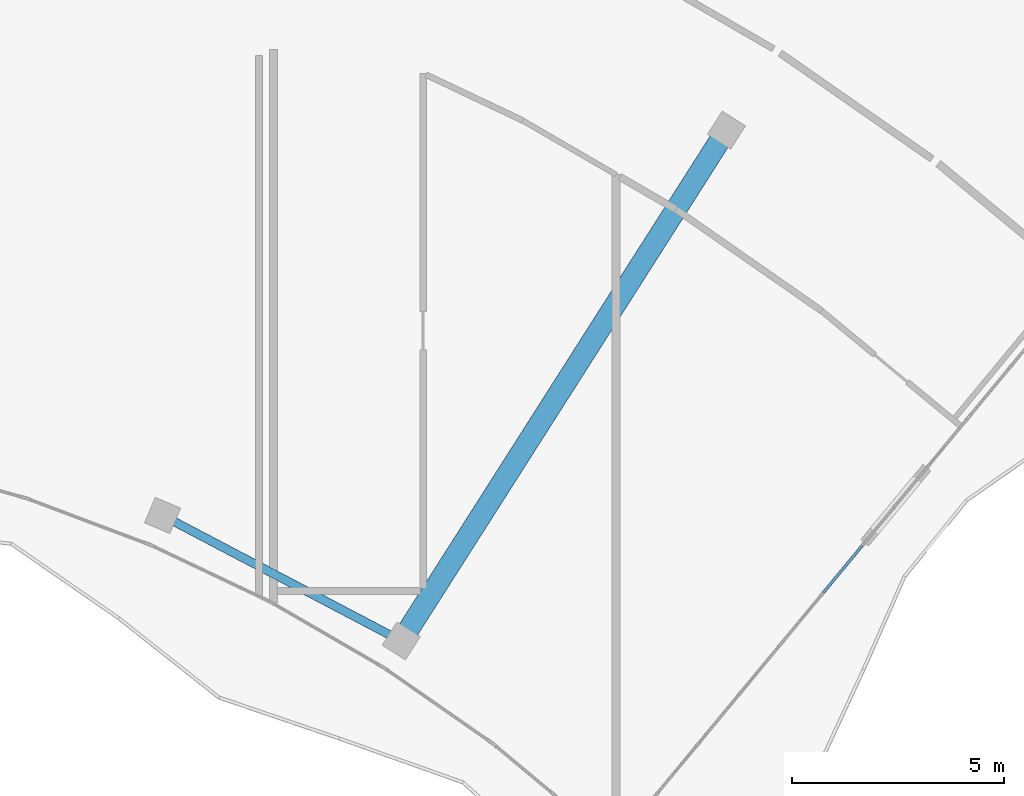
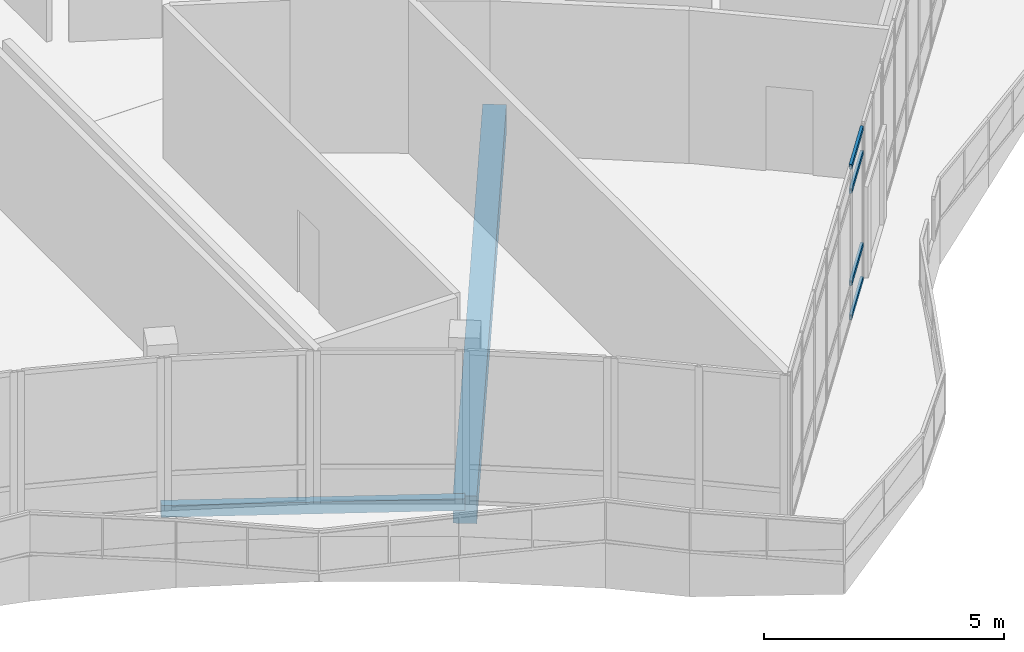
# One storey, part 125 of 184: 4 members, 2 beams, 1 element without a shape of its own.
"""IFC4 building model written with IfcOpenShell, lengths in metres."""

from ifc_helpers import new_model, si_unit, direction, frame, origin, origin_2d, place, context, subcontext, project, spatial, rectangle, hollow_rectangle, extrude, material, material_profile, profile_set, type_object, element, aggregate, save


model = new_model("IFC4")

# Units and contexts
model_context = context("Model", 3, precision=1e-05, world=origin(), true_north=direction((0.0, 1.0)))
body_context = subcontext(model_context, "Body", "Model", "MODEL_VIEW")
ifc_project = project(units=[si_unit("LENGTHUNIT", "METRE"), si_unit("AREAUNIT", "SQUARE_METRE"), si_unit("VOLUMEUNIT", "CUBIC_METRE"), si_unit("PLANEANGLEUNIT", "RADIAN"), si_unit("MASSUNIT", "GRAM", prefix="KILO")], contexts=[model_context])

# Site, building, storey
site_placement = place(None, origin())
site = spatial("IfcSite", under=ifc_project, at=site_placement, CompositionType="ELEMENT")
building_placement = place(site_placement, origin())
building = spatial("IfcBuilding", under=site, at=building_placement, Name="Selatvlak General Hospital", CompositionType="ELEMENT")
storey_placement = place(building_placement, frame((0.0, 0.0, 15.0)))
storey = spatial("IfcBuildingStorey", under=building, at=storey_placement, Name="L03", CompositionType="ELEMENT", Elevation=15.0)

# Beams
ifc_material_1 = material(Name="Concrete C40/50", Category="concrete")
ifc_material_profile_1 = material_profile(ifc_material_1, rectangle(XDim=0.5, YDim=0.699951171875, at=origin_2d()), Name="RC-BM 500x700")
ifc_profile_set_1 = profile_set([ifc_material_profile_1], Name="Concrete C40/50")
beam_type_1 = type_object("IfcBeamType", Name="BM-G03", PredefinedType="BEAM", material=ifc_profile_set_1)
beam_1_placement = place(storey_placement, frame((168.197998046875, 60.783935546875, -0.68994140625), z_axis=(-0.537073919926, -0.843535182749, 0.0), x_axis=(0.843535182749, -0.537073919926, 0.0)))
element("IfcBeam", 1, at=beam_1_placement, inside=storey, type_object=beam_type_1, Name="Beam BMR-L03-1475", PredefinedType="BEAM", context=body_context, shape_type="SweptSolid", body=[
    extrude(rectangle(XDim=0.5, YDim=0.699951171875, at=origin_2d()), origin(), (0.0, 0.0, 1.0), 14.24951171875),
])
ifc_material_2 = material(Name="Steel S355", Category="steel")
ifc_material_profile_2 = material_profile(ifc_material_2, hollow_rectangle(XDim=0.199951171875, YDim=0.300048828125, WallThickness=0.011962890625, at=origin_2d()), Name="RHS 300x200x12")
ifc_profile_set_2 = profile_set([ifc_material_profile_2], Name="Steel S355")
beam_type_2 = type_object("IfcBeamType", Name="BM-SP3", PredefinedType="SPANDREL", material=ifc_profile_set_2)
beam_2_placement = place(storey_placement, frame((154.927978515625, 51.716064453125, -0.489990234375), z_axis=(0.885186813572, -0.46523575215, 0.0), x_axis=(0.46523575215, 0.885186813572, 0.0)))
element("IfcBeam", 2, at=beam_2_placement, inside=storey, type_object=beam_type_2, Name="Beam BMR-L03-1505", PredefinedType="SPANDREL", context=body_context, shape_type="SweptSolid", body=[
    extrude(hollow_rectangle(XDim=0.199951171875, YDim=0.300048828125, WallThickness=0.011962890625, at=origin_2d()), origin(), (0.0, 0.0, 1.0), 6.345458984375),
])

# Curtain wall, members
ifc_material_3 = material(Name="Solar-control Low-E double glazing", Category="glass")
curtain_wall_type = type_object("IfcCurtainWallType", Name="CW-CW-01", PredefinedType="USERDEFINED", material=ifc_material_3)
curtain_wall_placement = place(storey_placement, origin())
curtain_wall = element("IfcCurtainWall", 3, at=curtain_wall_placement, inside=storey, type_object=curtain_wall_type, Name="Glazed facade curtain wall CW-L03-0395", ObjectType="UNITISED CURTAIN WALL", PredefinedType="USERDEFINED")
ifc_material_4 = material(Name="Dark anodised aluminium mullion", Category="aluminium")
ifc_material_profile_3 = material_profile(ifc_material_4, hollow_rectangle(XDim=0.06494140625, YDim=0.1201171875, WallThickness=0.00390625, at=origin_2d()), Name="AL-TRN 65x120x4")
ifc_profile_set_3 = profile_set([ifc_material_profile_3], Name="Dark anodised aluminium mullion")
member_type = type_object("IfcMemberType", Name="CWT-01", PredefinedType="USERDEFINED", material=ifc_profile_set_3)
member_1_placement = place(storey_placement, frame((171.396484375, 51.009033203125, 0.032470703125), z_axis=(-0.637654733819, -0.77032229647, 0.0), x_axis=(0.77032229647, -0.637654733819, 0.0)))
member_1 = element("IfcMember", 4, at=member_1_placement, type_object=member_type, Name="CW-01 transom 1.1", ObjectType="TRANSOM", PredefinedType="USERDEFINED", context=body_context, shape_type="SweptSolid", body=[
    extrude(hollow_rectangle(XDim=0.06494140625, YDim=0.1201171875, WallThickness=0.00390625, at=origin_2d()), origin(), (0.0, 0.0, 1.0), 1.435302734375),
])
member_2_placement = place(storey_placement, frame((171.396484375, 51.009033203125, 0.89990234375), z_axis=(-0.637654733819, -0.77032229647, 0.0), x_axis=(0.77032229647, -0.637654733819, 0.0)))
member_2 = element("IfcMember", 5, at=member_2_placement, type_object=member_type, Name="CW-01 transom 1.2", ObjectType="TRANSOM", PredefinedType="USERDEFINED", context=body_context, shape_type="SweptSolid", body=[
    extrude(hollow_rectangle(XDim=0.06494140625, YDim=0.1201171875, WallThickness=0.00390625, at=origin_2d()), origin(), (0.0, 0.0, 1.0), 1.435302734375),
])
member_3_placement = place(storey_placement, frame((171.396484375, 51.009033203125, 3.2451171875), z_axis=(-0.637654733819, -0.77032229647, 0.0), x_axis=(0.77032229647, -0.637654733819, 0.0)))
member_3 = element("IfcMember", 6, at=member_3_placement, type_object=member_type, Name="CW-01 transom 1.3", ObjectType="TRANSOM", PredefinedType="USERDEFINED", context=body_context, shape_type="SweptSolid", body=[
    extrude(hollow_rectangle(XDim=0.06494140625, YDim=0.1201171875, WallThickness=0.00390625, at=origin_2d()), origin(), (0.0, 0.0, 1.0), 1.435302734375),
])
member_4_placement = place(storey_placement, frame((171.396484375, 51.009033203125, 3.862548828125), z_axis=(-0.637654733819, -0.77032229647, 0.0), x_axis=(0.77032229647, -0.637654733819, 0.0)))
member_4 = element("IfcMember", 7, at=member_4_placement, type_object=member_type, Name="CW-01 transom 1.4", ObjectType="TRANSOM", PredefinedType="USERDEFINED", context=body_context, shape_type="SweptSolid", body=[
    extrude(hollow_rectangle(XDim=0.06494140625, YDim=0.1201171875, WallThickness=0.00390625, at=origin_2d()), origin(), (0.0, 0.0, 1.0), 1.435302734375),
])
aggregate(curtain_wall, [member_1, member_2, member_3, member_4])

save(model, "model.ifc")
